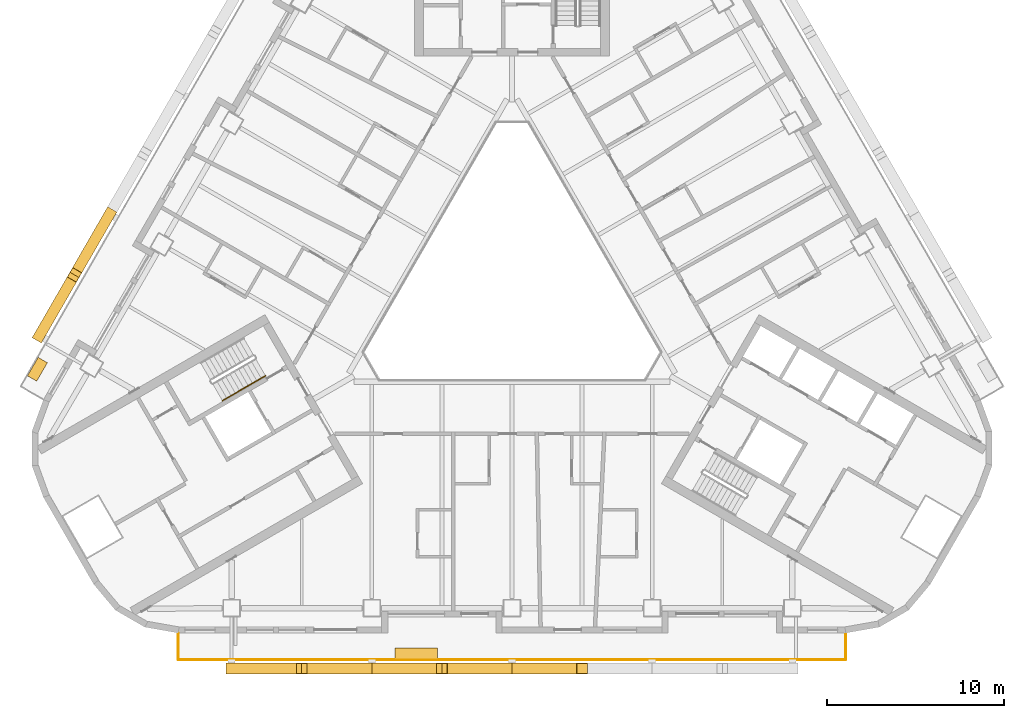
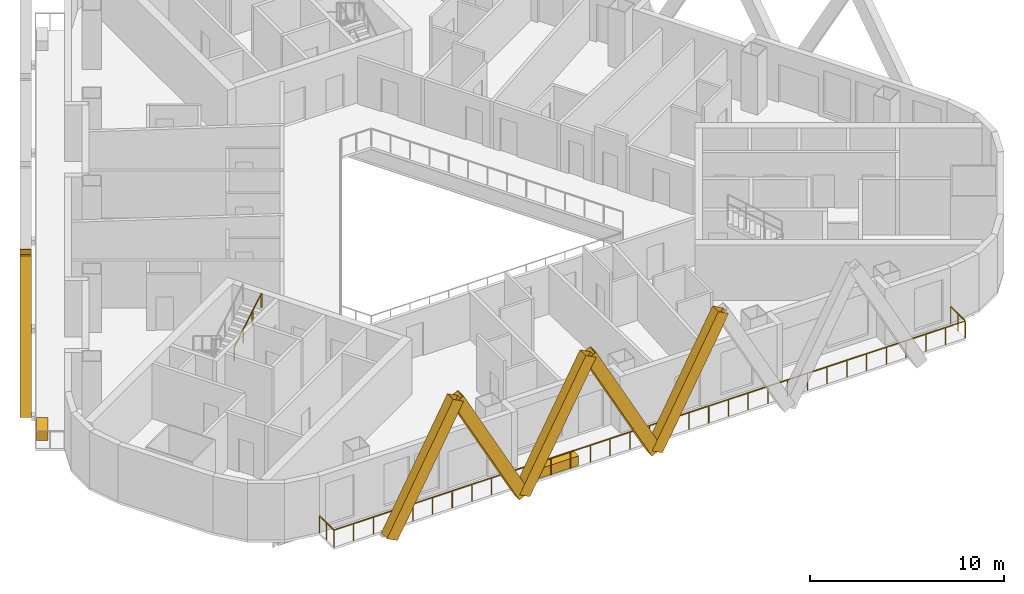
# One storey, part 12 of 17: 7 shading devices, 2 coverings, 2 railings.
"""IFC4 building model written with IfcOpenShell, lengths in metres."""

from ifc_helpers import new_model, si_unit, direction, frame, origin, origin_2d, place, context, subcontext, project, spatial, rectangle, hollow_rectangle, circle, extrude, material, material_profile, profile_set, type_object, element, save


model = new_model("IFC4")

# Units and contexts
model_context = context("Model", 3, precision=1e-05, world=origin(), true_north=direction((0.0, 1.0)))
body_context = subcontext(model_context, "Body", "Model", "MODEL_VIEW")
ifc_project = project(units=[si_unit("LENGTHUNIT", "METRE"), si_unit("AREAUNIT", "SQUARE_METRE"), si_unit("VOLUMEUNIT", "CUBIC_METRE"), si_unit("PLANEANGLEUNIT", "RADIAN"), si_unit("MASSUNIT", "GRAM", prefix="KILO")], contexts=[model_context])

# Site, building, storey
site_placement = place(None, origin())
site = spatial("IfcSite", under=ifc_project, at=site_placement, CompositionType="ELEMENT")
building_placement = place(site_placement, origin())
building = spatial("IfcBuilding", under=site, at=building_placement, Name="Apuvela Tower Hotel", CompositionType="ELEMENT")
storey_placement = place(building_placement, frame((0.0, 0.0, 46.5)))
storey = spatial("IfcBuildingStorey", under=building, at=storey_placement, Name="L08", CompositionType="ELEMENT", Elevation=46.5)

# Railing
ifc_material_1 = material(Name="Stainless steel 316 handrail", Category="steel")
railing_type_1 = type_object("IfcRailingType", Name="COR-HANDRAIL-900", PredefinedType="HANDRAIL", material=ifc_material_1)
railing_1_placement = place(storey_placement, frame((-16.31884765625, -6.534912109375, 2.01806640625)))
element("IfcRailing", 1, at=railing_1_placement, inside=storey, type_object=railing_type_1, Name="L08 ST2 stair handrail 2", PredefinedType="HANDRAIL", context=body_context, shape_type="SweptSolid", body=[
    extrude(circle(Radius=0.02392578125, at=origin_2d()), frame((0.0, 0.0, 0.8759765625), z_axis=(0.742390482028, 0.42860119049, 0.514934356695), x_axis=(-0.49998411664, 0.866034573852, 0.0)), (0.0, 0.0, 1.0), 3.26611328125),
    extrude(rectangle(XDim=0.0419921875, YDim=0.0419921875, at=origin_2d()), origin(), (0.0, 0.0, 1.0), 0.851806640625),
    extrude(rectangle(XDim=0.0419921875, YDim=0.0419921875, at=origin_2d()), frame((0.808349609375, 0.466552734375, 0.560546875)), (0.0, 0.0, 1.0), 0.851806640625),
    extrude(rectangle(XDim=0.0419921875, YDim=0.0419921875, at=origin_2d()), frame((1.616455078125, 0.933349609375, 1.121337890625)), (0.0, 0.0, 1.0), 0.851806640625),
    extrude(rectangle(XDim=0.0419921875, YDim=0.0419921875, at=origin_2d()), frame((2.4248046875, 1.39990234375, 1.681884765625)), (0.0, 0.0, 1.0), 0.851806640625),
])

# Shading devices
ifc_material_2 = material(Name="Aluminium 6063-T6, black anodised", Category="aluminium")
ifc_material_profile = material_profile(ifc_material_2, hollow_rectangle(XDim=0.60009765625, YDim=0.699951171875, WallThickness=0.011962890625, at=origin_2d()), Name="AL BOX 700x600x12")
ifc_profile_set = profile_set([ifc_material_profile], Name="Aluminium 6063-T6, black anodised")
shading_device_type = type_object("IfcShadingDeviceType", Name="ENV-FIN-700x600", PredefinedType="USERDEFINED", material=ifc_profile_set)
for number, where, z_axis, x_axis, name in (
    (2, (-15.800048828125, -21.6298828125, -0.10009765625), (0.470885802113, 0.0, 0.882194174413), (0.0, 1.0, 0.0), "Lattice fin S1"),
    (3, (-7.89990234375, -21.6298828125, -0.10009765625), (-0.470908452903, 0.0, 0.882182083804), (0.0, -1.0, 0.0), "Lattice fin S2"),
    (4, (-7.89990234375, -21.6298828125, -0.10009765625), (0.470885802113, 0.0, 0.882194174413), (0.0, 1.0, 0.0), "Lattice fin S3"),
    (5, (0.0, -21.6298828125, -0.10009765625), (-0.470885802113, 0.0, 0.882194174413), (0.0, -1.0, 0.0), "Lattice fin S4"),
    (6, (0.0, -21.6298828125, -0.10009765625), (0.470885802113, 0.0, 0.882194174413), (0.0, 1.0, 0.0), "Lattice fin S5"),
    (7, (-22.68212890625, 3.973388671875, -0.10009765625), (-0.235427548578, -0.407814415956, 0.882191176281), (0.866047669374, -0.499961432884, 0.0), "Lattice fin NW103"),
    (8, (-26.632080078125, -2.8681640625, -0.10009765625), (0.235457834389, 0.407787356937, 0.88219560175), (-0.866005453737, 0.500034552904, 0.0), "Lattice fin NW104"),
):
    element("IfcShadingDevice", number, at=place(storey_placement, frame(where, z_axis=z_axis, x_axis=x_axis)), inside=storey, type_object=shading_device_type, Name=name, ObjectType="FIN", PredefinedType="USERDEFINED", context=body_context, shape_type="SweptSolid", body=[
        extrude(hollow_rectangle(XDim=0.60009765625, YDim=0.699951171875, WallThickness=0.011962890625, at=origin_2d()), origin(), (0.0, 0.0, 1.0), 8.388427734375),
    ])

# Railing
ifc_material_3 = material(Name="Stainless steel 316 rail with laminated glass infill", Category="steel")
railing_type_2 = type_object("IfcRailingType", Name="ENV-GUARD-1100", PredefinedType="GUARDRAIL", material=ifc_material_3)
railing_2_placement = place(storey_placement, frame((-18.81591796875, -19.6298828125, 0.0)))
element("IfcRailing", 9, at=railing_2_placement, inside=storey, type_object=railing_type_2, Name="Balcony guard S L08", PredefinedType="GUARDRAIL", context=body_context, shape_type="SweptSolid", body=[
    extrude(rectangle(XDim=0.050048828125, YDim=0.050048828125, at=origin_2d()), frame((0.0, 0.0, 1.0751953125), z_axis=(0.0, -1.0, 0.0), x_axis=(1.0, 0.0, 0.0)), (0.0, 0.0, 1.0), 1.5),
    extrude(rectangle(XDim=0.050048828125, YDim=0.050048828125, at=origin_2d()), frame((0.0, -1.5, 1.0751953125), z_axis=(1.0, 0.0, 0.0), x_axis=(0.0, 1.0, 0.0)), (0.0, 0.0, 1.0), 37.6318359375),
    extrude(rectangle(XDim=0.050048828125, YDim=0.050048828125, at=origin_2d()), frame((37.6318359375, -1.5, 1.0751953125), z_axis=(0.0, 1.0, 0.0), x_axis=(-1.0, 0.0, 0.0)), (0.0, 0.0, 1.0), 1.5),
    extrude(rectangle(XDim=0.0400390625, YDim=0.0400390625, at=origin_2d()), origin(), (0.0, 0.0, 1.0), 1.050048828125),
    extrude(rectangle(XDim=0.0400390625, YDim=0.0400390625, at=origin_2d()), frame((0.0, -0.75, 0.0)), (0.0, 0.0, 1.0), 1.050048828125),
    extrude(rectangle(XDim=0.0400390625, YDim=0.0400390625, at=origin_2d()), frame((0.0, -1.5, 0.0)), (0.0, 0.0, 1.0), 1.050048828125),
    extrude(rectangle(XDim=0.0400390625, YDim=0.0400390625, at=origin_2d()), frame((1.176025390625, -1.5, 0.0)), (0.0, 0.0, 1.0), 1.050048828125),
    extrude(rectangle(XDim=0.0400390625, YDim=0.0400390625, at=origin_2d()), frame((2.35205078125, -1.5, 0.0)), (0.0, 0.0, 1.0), 1.050048828125),
    extrude(rectangle(XDim=0.0400390625, YDim=0.0400390625, at=origin_2d()), frame((3.528076171875, -1.5, 0.0)), (0.0, 0.0, 1.0), 1.050048828125),
    extrude(rectangle(XDim=0.0400390625, YDim=0.0400390625, at=origin_2d()), frame((4.7041015625, -1.5, 0.0)), (0.0, 0.0, 1.0), 1.050048828125),
    extrude(rectangle(XDim=0.0400390625, YDim=0.0400390625, at=origin_2d()), frame((5.8798828125, -1.5, 0.0)), (0.0, 0.0, 1.0), 1.050048828125),
    extrude(rectangle(XDim=0.0400390625, YDim=0.0400390625, at=origin_2d()), frame((7.055908203125, -1.5, 0.0)), (0.0, 0.0, 1.0), 1.050048828125),
    extrude(rectangle(XDim=0.0400390625, YDim=0.0400390625, at=origin_2d()), frame((8.23193359375, -1.5, 0.0)), (0.0, 0.0, 1.0), 1.050048828125),
    extrude(rectangle(XDim=0.0400390625, YDim=0.0400390625, at=origin_2d()), frame((9.407958984375, -1.5, 0.0)), (0.0, 0.0, 1.0), 1.050048828125),
    extrude(rectangle(XDim=0.0400390625, YDim=0.0400390625, at=origin_2d()), frame((10.583984375, -1.5, 0.0)), (0.0, 0.0, 1.0), 1.050048828125),
    extrude(rectangle(XDim=0.0400390625, YDim=0.0400390625, at=origin_2d()), frame((11.760009765625, -1.5, 0.0)), (0.0, 0.0, 1.0), 1.050048828125),
    extrude(rectangle(XDim=0.0400390625, YDim=0.0400390625, at=origin_2d()), frame((12.93603515625, -1.5, 0.0)), (0.0, 0.0, 1.0), 1.050048828125),
    extrude(rectangle(XDim=0.0400390625, YDim=0.0400390625, at=origin_2d()), frame((14.11181640625, -1.5, 0.0)), (0.0, 0.0, 1.0), 1.050048828125),
    extrude(rectangle(XDim=0.0400390625, YDim=0.0400390625, at=origin_2d()), frame((15.287841796875, -1.5, 0.0)), (0.0, 0.0, 1.0), 1.050048828125),
    extrude(rectangle(XDim=0.0400390625, YDim=0.0400390625, at=origin_2d()), frame((16.4638671875, -1.5, 0.0)), (0.0, 0.0, 1.0), 1.050048828125),
    extrude(rectangle(XDim=0.0400390625, YDim=0.0400390625, at=origin_2d()), frame((17.639892578125, -1.5, 0.0)), (0.0, 0.0, 1.0), 1.050048828125),
    extrude(rectangle(XDim=0.0400390625, YDim=0.0400390625, at=origin_2d()), frame((18.81591796875, -1.5, 0.0)), (0.0, 0.0, 1.0), 1.050048828125),
    extrude(rectangle(XDim=0.0400390625, YDim=0.0400390625, at=origin_2d()), frame((19.991943359375, -1.5, 0.0)), (0.0, 0.0, 1.0), 1.050048828125),
    extrude(rectangle(XDim=0.0400390625, YDim=0.0400390625, at=origin_2d()), frame((21.16796875, -1.5, 0.0)), (0.0, 0.0, 1.0), 1.050048828125),
    extrude(rectangle(XDim=0.0400390625, YDim=0.0400390625, at=origin_2d()), frame((22.343994140625, -1.5, 0.0)), (0.0, 0.0, 1.0), 1.050048828125),
    extrude(rectangle(XDim=0.0400390625, YDim=0.0400390625, at=origin_2d()), frame((23.52001953125, -1.5, 0.0)), (0.0, 0.0, 1.0), 1.050048828125),
    extrude(rectangle(XDim=0.0400390625, YDim=0.0400390625, at=origin_2d()), frame((24.69580078125, -1.5, 0.0)), (0.0, 0.0, 1.0), 1.050048828125),
    extrude(rectangle(XDim=0.0400390625, YDim=0.0400390625, at=origin_2d()), frame((25.871826171875, -1.5, 0.0)), (0.0, 0.0, 1.0), 1.050048828125),
    extrude(rectangle(XDim=0.0400390625, YDim=0.0400390625, at=origin_2d()), frame((27.0478515625, -1.5, 0.0)), (0.0, 0.0, 1.0), 1.050048828125),
    extrude(rectangle(XDim=0.0400390625, YDim=0.0400390625, at=origin_2d()), frame((28.223876953125, -1.5, 0.0)), (0.0, 0.0, 1.0), 1.050048828125),
    extrude(rectangle(XDim=0.0400390625, YDim=0.0400390625, at=origin_2d()), frame((29.39990234375, -1.5, 0.0)), (0.0, 0.0, 1.0), 1.050048828125),
    extrude(rectangle(XDim=0.0400390625, YDim=0.0400390625, at=origin_2d()), frame((30.575927734375, -1.5, 0.0)), (0.0, 0.0, 1.0), 1.050048828125),
    extrude(rectangle(XDim=0.0400390625, YDim=0.0400390625, at=origin_2d()), frame((31.751953125, -1.5, 0.0)), (0.0, 0.0, 1.0), 1.050048828125),
    extrude(rectangle(XDim=0.0400390625, YDim=0.0400390625, at=origin_2d()), frame((32.927734375, -1.5, 0.0)), (0.0, 0.0, 1.0), 1.050048828125),
    extrude(rectangle(XDim=0.0400390625, YDim=0.0400390625, at=origin_2d()), frame((34.103759765625, -1.5, 0.0)), (0.0, 0.0, 1.0), 1.050048828125),
    extrude(rectangle(XDim=0.0400390625, YDim=0.0400390625, at=origin_2d()), frame((35.27978515625, -1.5, 0.0)), (0.0, 0.0, 1.0), 1.050048828125),
    extrude(rectangle(XDim=0.0400390625, YDim=0.0400390625, at=origin_2d()), frame((36.455810546875, -1.5, 0.0)), (0.0, 0.0, 1.0), 1.050048828125),
    extrude(rectangle(XDim=0.0400390625, YDim=0.0400390625, at=origin_2d()), frame((37.6318359375, -1.5, 0.0)), (0.0, 0.0, 1.0), 1.050048828125),
    extrude(rectangle(XDim=0.0400390625, YDim=0.0400390625, at=origin_2d()), frame((37.6318359375, -0.75, 0.0)), (0.0, 0.0, 1.0), 1.050048828125),
    extrude(rectangle(XDim=0.0400390625, YDim=0.0400390625, at=origin_2d()), frame((37.6318359375, 0.0, 0.0)), (0.0, 0.0, 1.0), 1.050048828125),
])

# Coverings
ifc_material_4 = material(Name="Planting substrate and soil, planted")
covering_type_1 = type_object("IfcCoveringType", Name="ENV-PLANTER-1200x600", PredefinedType="USERDEFINED", material=ifc_material_4)
covering_1_placement = place(storey_placement, frame((-26.74609375, -4.765625, 0.0), z_axis=(0.0, 0.0, 1.0), x_axis=(-0.5, -0.866025403784, 0.0)))
element("IfcCovering", 10, at=covering_1_placement, inside=storey, type_object=covering_type_1, Name="Planter NW4", ObjectType="PLANTER", PredefinedType="USERDEFINED", context=body_context, shape_type="SweptSolid", body=[
    extrude(rectangle(XDim=1.199951171875, YDim=0.60009765625, at=origin_2d()), origin(), (0.0, 0.0, 1.0), 0.60009765625),
])
covering_type_2 = type_object("IfcCoveringType", Name="ENV-PLANTER-2400x600", PredefinedType="USERDEFINED", material=ifc_material_4)
covering_2_placement = place(storey_placement, frame((-5.399658203125, -20.780029296875, 0.0), z_axis=(0.0, 0.0, 1.0), x_axis=(1.0, 0.0, 0.0)))
element("IfcCovering", 11, at=covering_2_placement, inside=storey, type_object=covering_type_2, Name="Planter S1", ObjectType="PLANTER", PredefinedType="USERDEFINED", context=body_context, shape_type="SweptSolid", body=[
    extrude(rectangle(XDim=2.39990234375, YDim=0.60009765625, at=origin_2d()), origin(), (0.0, 0.0, 1.0), 0.60009765625),
])

save(model, "model.ifc")
